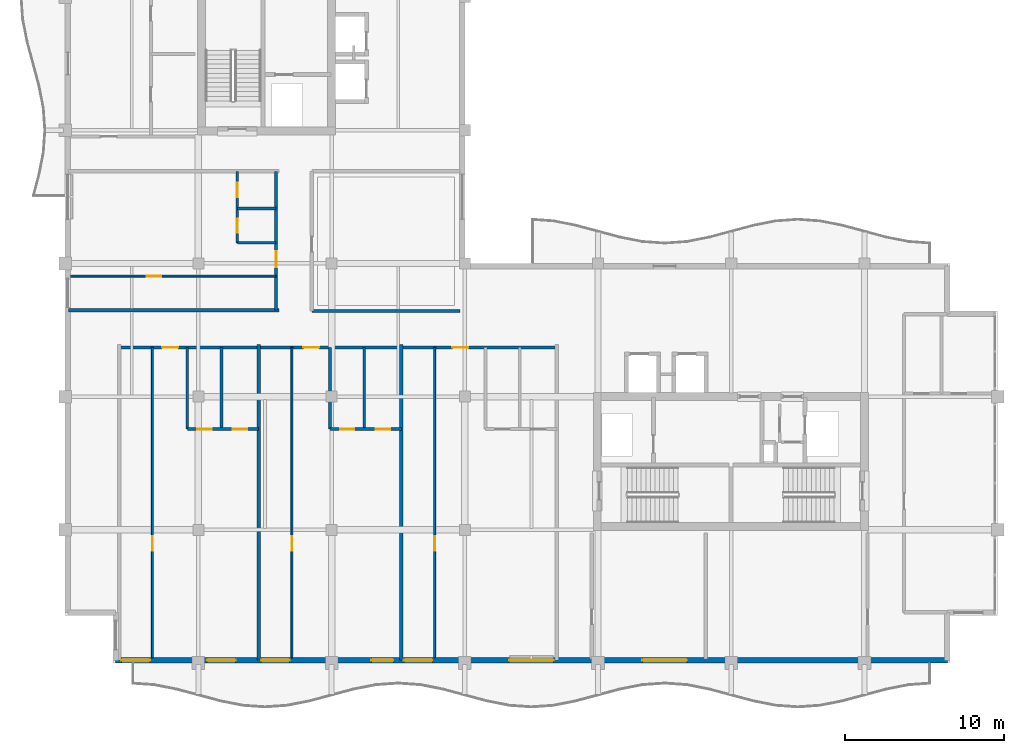
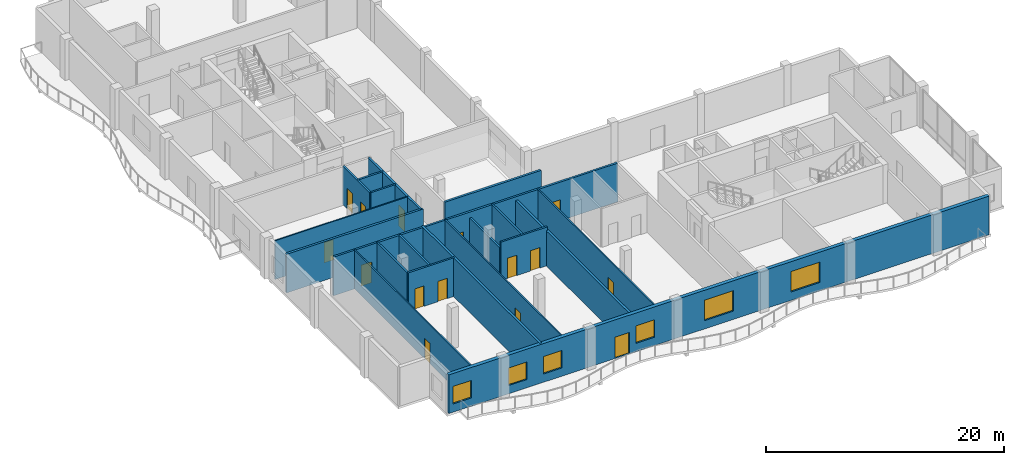
# One storey, part 7 of 16: 20 walls, 15 doors, 6 windows, 21 openings.
"""IFC4 building model written with IfcOpenShell, lengths in metres."""

import ifcopenshell
import ifcopenshell.guid

model = None  # the IFC model being written
_history = None  # IfcOwnerHistory: only IFC2X3 demands one
_inside = {}  # id of a spatial element -> (the spatial element, [elements in it])
_under = {}  # id of a project, library or spatial element -> (it, [spatial elements below it])
_declared = {}  # id of a project -> (the project, [libraries it declares])
_typed = {}  # id of a type object -> (the type object, [elements of that type])
_made_of = {}  # id of a material, layer set ... -> (it, [elements and type objects made of it])


def new_model(schema):
    """Start an empty IFC model of exactly this schema.

    Asked for "IFC4X3", IfcOpenShell would pick the latest addendum, in which some entities
    have other attributes; the version numbers below select the first issue.
    IFC2X3 requires an IfcOwnerHistory on every rooted entity: one is made here for all.
    """
    global model, _history
    if schema == "IFC4X3":
        model = ifcopenshell.file(schema_version=(4, 3, 0, 0))
    else:
        model = ifcopenshell.file(schema=schema)
    _inside.clear()
    _under.clear()
    _declared.clear()
    _typed.clear()
    _made_of.clear()
    _history = None
    if model.schema == "IFC2X3":
        org = make("IfcOrganization", Name="unknown")
        user = make(
            "IfcPersonAndOrganization",
            ThePerson=make("IfcPerson", FamilyName="unknown"),
            TheOrganization=org,
        )
        app = make(
            "IfcApplication",
            ApplicationDeveloper=org,
            Version="unknown",
            ApplicationFullName="unknown",
            ApplicationIdentifier="unknown",
        )
        _history = make(
            "IfcOwnerHistory",
            OwningUser=user,
            OwningApplication=app,
            ChangeAction="ADDED",
            CreationDate=0,
        )
    return model


def make(cls, **values):
    """One entity of the class cls with the attributes given. An attribute that is None is left unset."""
    return model.create_entity(
        cls, **{name: value for name, value in values.items() if value is not None}
    )


def rooted(cls, **values):
    """An entity with a GlobalId (a new one), such as an element, a storey or a relation."""
    return make(cls, GlobalId=ifcopenshell.guid.new(), OwnerHistory=_history, **values)


def si_unit(unit_type, name, prefix=None):
    """IfcSIUnit, for example si_unit("LENGTHUNIT", "METRE", prefix="MILLI")."""
    return make("IfcSIUnit", UnitType=unit_type, Prefix=prefix, Name=name)


def assignment(units):
    """IfcUnitAssignment: the units of a project."""
    return None if units is None else make("IfcUnitAssignment", Units=units)


def point(xyz):
    """IfcCartesianPoint."""
    return None if xyz is None else make("IfcCartesianPoint", Coordinates=xyz)


def direction(xyz):
    """IfcDirection."""
    return None if xyz is None else make("IfcDirection", DirectionRatios=xyz)


def frame(location, z_axis=None, x_axis=None):
    """IfcAxis2Placement3D, a coordinate frame: its origin and axes. An axis left out is left unset."""
    return make(
        "IfcAxis2Placement3D",
        Location=point(location),
        Axis=direction(z_axis),
        RefDirection=direction(x_axis),
    )


def frame_2d(location, x_axis=None):
    """IfcAxis2Placement2D, a coordinate frame in the plane: its origin and x axis."""
    return make(
        "IfcAxis2Placement2D", Location=point(location), RefDirection=direction(x_axis)
    )


def origin():
    """The frame at (0, 0, 0) with its axes left unset."""
    return frame((0.0, 0.0, 0.0))


def place(relative_to, where):
    """IfcLocalPlacement: puts the frame where relative to a parent placement (None: the world)."""
    return make(
        "IfcLocalPlacement", PlacementRelTo=relative_to, RelativePlacement=where
    )


def context(
    kind, dimensions, precision=None, world=None, true_north=None, identifier=None
):
    """IfcGeometricRepresentationContext, for example the 3D "Model" context."""
    return make(
        "IfcGeometricRepresentationContext",
        ContextIdentifier=identifier,
        ContextType=kind,
        CoordinateSpaceDimension=dimensions,
        Precision=precision,
        WorldCoordinateSystem=world,
        TrueNorth=true_north,
    )


def subcontext(parent, identifier, kind, view, scale=None):
    """IfcGeometricRepresentationSubContext, for example "Body" below "Model"."""
    return make(
        "IfcGeometricRepresentationSubContext",
        ContextIdentifier=identifier,
        ContextType=kind,
        ParentContext=parent,
        TargetScale=scale,
        TargetView=view,
    )


def project(units=None, contexts=None):
    """IfcProject with its units and contexts."""
    return rooted(
        "IfcProject",
        Name="project",
        RepresentationContexts=contexts,
        UnitsInContext=assignment(units),
    )


def spatial(cls, under=None, at=None, **own):
    """A site, building, storey or space (cls), placed at a placement, below another one or the project."""
    s = rooted(cls, ObjectPlacement=at, **own)
    if under is not None:
        _under.setdefault(under.id(), (under, []))[1].append(s)
    return s


def profile(cls, at=None, kind="AREA", **sizes):
    """A parametric profile (cls). Its sizes go by their IFC names, for example OverallWidth=200.0."""
    return make(cls, ProfileType=kind, Position=at, **sizes)


def rectangle(**sizes):
    """IfcRectangleProfileDef."""
    return profile("IfcRectangleProfileDef", **sizes)


def extrude(swept, where, along, depth):
    """IfcExtrudedAreaSolid: the profile swept, set in the frame where, extruded along a direction by depth."""
    return make(
        "IfcExtrudedAreaSolid",
        SweptArea=swept,
        Position=where,
        ExtrudedDirection=direction(along),
        Depth=depth,
    )


def shape(context_of_items, identifier, shape_type, items):
    """IfcShapeRepresentation: the items that make up one representation, for example the "Body"."""
    return make(
        "IfcShapeRepresentation",
        ContextOfItems=context_of_items,
        RepresentationIdentifier=identifier,
        RepresentationType=shape_type,
        Items=items,
    )


def material(Name=None, Category=None):
    """IfcMaterial."""
    return make("IfcMaterial", Name=Name, Category=Category)


def layer(
    of_material, thickness, ventilated=None, Name=None, Category=None, Priority=None
):
    """IfcMaterialLayer: one layer of a wall or slab, of a material (None: an air gap)."""
    return make(
        "IfcMaterialLayer",
        Material=of_material,
        LayerThickness=thickness,
        IsVentilated=ventilated,
        Name=Name,
        Category=Category,
        Priority=Priority,
    )


def layer_set(layers, Name=None):
    """IfcMaterialLayerSet."""
    return make("IfcMaterialLayerSet", MaterialLayers=layers, LayerSetName=Name)


def made_of(thing, what):
    """Note that an element or type object is made of a material, layer set ...; save() writes the relation."""
    if what is not None:
        _made_of.setdefault(what.id(), (what, []))[1].append(thing)
    return thing


def type_object(cls, material=None, **own):
    """A type object (cls), such as IfcWallType, which elements share."""
    return made_of(rooted(cls, **own), material)


def element(
    cls,
    number,
    at=None,
    inside=None,
    cuts=None,
    type_object=None,
    material=None,
    context=None,
    identifier="Body",
    shape_type=None,
    held_by="IfcProductDefinitionShape",
    body=None,
    shapes=None,
    **own,
):
    """One element of the class cls, such as IfcWall. Its Tag is "e" and its number.

    at: its placement. inside: the storey or other place that contains it. cuts: it is an
    opening in that element (IfcRelVoidsElement). A single representation is given by context,
    identifier, shape_type and body (its items); several are given by shapes. held_by: the class
    of the entity that holds the representations. save() writes the other relations.
    """
    e = rooted(cls, Tag="e%d" % number, ObjectPlacement=at, **own)
    if body is not None:
        shapes = [shape(context, identifier, shape_type, body)]
    if shapes is not None:
        e.Representation = make(held_by, Representations=shapes)
    if inside is not None:
        _inside.setdefault(inside.id(), (inside, []))[1].append(e)
    if cuts is not None:
        rooted(
            "IfcRelVoidsElement", RelatingBuildingElement=cuts, RelatedOpeningElement=e
        )
    if type_object is not None:
        _typed.setdefault(type_object.id(), (type_object, []))[1].append(e)
    return made_of(e, material)


def fill(opening, filler):
    """IfcRelFillsElement: the door or window that sits in an opening."""
    return rooted(
        "IfcRelFillsElement",
        RelatingOpeningElement=opening,
        RelatedBuildingElement=filler,
    )


def aggregate(whole, parts):
    """IfcRelAggregates: a whole, such as a stair, and the parts it consists of."""
    return rooted("IfcRelAggregates", RelatingObject=whole, RelatedObjects=parts)


def save(model, path):
    """Write the relations noted so far, then the file.

    IfcRelAggregates (storeys below a building ...), IfcRelContainedInSpatialStructure (elements
    in a storey), IfcRelDefinesByType, IfcRelAssociatesMaterial and IfcRelDeclares: one each for
    every whole, place, type object, material and project.
    """
    for whole, parts in _under.values():
        aggregate(whole, parts)
    for where, things in _inside.values():
        rooted(
            "IfcRelContainedInSpatialStructure",
            RelatedElements=things,
            RelatingStructure=where,
        )
    for kind, things in _typed.values():
        rooted("IfcRelDefinesByType", RelatedObjects=things, RelatingType=kind)
    for what, things in _made_of.values():
        rooted("IfcRelAssociatesMaterial", RelatedObjects=things, RelatingMaterial=what)
    for by, libraries in _declared.values():
        rooted("IfcRelDeclares", RelatingContext=by, RelatedDefinitions=libraries)
    model.write(path)


model = new_model("IFC4")

# Units and contexts
model_context = context("Model", 3, precision=1e-05, world=origin(), true_north=direction((0.0, 1.0)))
body_context = subcontext(model_context, "Body", "Model", "MODEL_VIEW")
ifc_project = project(units=[si_unit("LENGTHUNIT", "METRE"), si_unit("AREAUNIT", "SQUARE_METRE"), si_unit("VOLUMEUNIT", "CUBIC_METRE"), si_unit("PLANEANGLEUNIT", "RADIAN"), si_unit("MASSUNIT", "GRAM", prefix="KILO")], contexts=[model_context])

# Site, building, storey
site_placement = place(None, origin())
site = spatial("IfcSite", under=ifc_project, at=site_placement, CompositionType="ELEMENT")
building_placement = place(site_placement, origin())
building = spatial("IfcBuilding", under=site, at=building_placement, Name="Koriwani Terraces Tower", CompositionType="ELEMENT")
storey_placement = place(building_placement, frame((0.0, 0.0, 355.39990234375)))
storey = spatial("IfcBuildingStorey", under=building, at=storey_placement, Name="L88", CompositionType="ELEMENT", Elevation=355.39990234375)

# Wall, openings, doors
ifc_material_1 = material(Name="Autoclaved Cellular Concrete Blockwork", Category="masonry")
ifc_layer_1 = layer(ifc_material_1, 0.199951171875, Name="Autoclaved Cellular Concrete Blockwork")
ifc_layer_set_1 = layer_set([ifc_layer_1], Name="Autoclaved Cellular Concrete Blockwork")
wall_type_1 = type_object("IfcWallType", Name="WALL_CORRIDOR_200", PredefinedType="PARTITIONING", material=ifc_layer_set_1)
wall_1_placement = place(storey_placement, frame((11.800048828125, 28.300048828125, 0.0), z_axis=(0.0, 0.0, 1.0), x_axis=(1.0, 0.0, 0.0)))
wall_1 = element("IfcWall", 1, at=wall_1_placement, inside=storey, type_object=wall_type_1, Name="L88 Interior Wall WRCOR-L88-SW-0", PredefinedType="PARTITIONING", context=body_context, shape_type="SweptSolid", body=[
    extrude(rectangle(XDim=27.599853515625, YDim=0.199951171875, at=frame_2d((13.7998046875, 0.0))), origin(), (0.0, 0.0, 1.0), 3.97021484375),
])
opening_1_placement = place(wall_1_placement, frame((2.719970703125, 0.0, 0.0)))
opening_1 = element("IfcOpeningElement", 2, at=opening_1_placement, cuts=wall_1, Name="Opening D-05", PredefinedType="OPENING", context=body_context, shape_type="SweptSolid", body=[
    extrude(rectangle(XDim=1.0, YDim=2.14990234375, at=frame_2d((0.5, 1.074951171875))), frame((0.0, 0.10986328125, 0.0), z_axis=(0.0, -1.0, 0.0), x_axis=(1.0, 0.0, 0.0)), (0.0, 0.0, 1.0), 0.219970703125),
])
opening_2_placement = place(wall_1_placement, frame((11.6201171875, 0.0, 0.0)))
opening_2 = element("IfcOpeningElement", 3, at=opening_2_placement, cuts=wall_1, Name="Opening D-05", PredefinedType="OPENING", context=body_context, shape_type="SweptSolid", body=[
    extrude(rectangle(XDim=1.0, YDim=2.14990234375, at=frame_2d((0.5, 1.074951171875))), frame((0.0, 0.10986328125, 0.0), z_axis=(0.0, -1.0, 0.0), x_axis=(1.0, 0.0, 0.0)), (0.0, 0.0, 1.0), 0.219970703125),
])
opening_3_placement = place(wall_1_placement, frame((21.02001953125, 0.0, 0.0)))
opening_3 = element("IfcOpeningElement", 4, at=opening_3_placement, cuts=wall_1, Name="Opening D-05", PredefinedType="OPENING", context=body_context, shape_type="SweptSolid", body=[
    extrude(rectangle(XDim=1.0, YDim=2.14990234375, at=frame_2d((0.5, 1.074951171875))), frame((0.0, 0.10986328125, 0.0), z_axis=(0.0, -1.0, 0.0), x_axis=(1.0, 0.0, 0.0)), (0.0, 0.0, 1.0), 0.219970703125),
])
ifc_material_2 = material(Name="Architectural Oak Fire Door", Category="wood")
door_type_1 = type_object("IfcDoorType", Name="DOOR_SUITE_ENTRY_1000X2150", OperationType="NOTDEFINED", PredefinedType="DOOR", material=ifc_material_2)
door_1_placement = place(opening_1_placement, origin())
door_1 = element("IfcDoor", 5, at=door_1_placement, inside=storey, type_object=door_type_1, Name="Penthouse 88SW1 Entrance Door", OperationType="SINGLE_SWING_LEFT", OverallHeight=2.14990234375, OverallWidth=1.0, PredefinedType="DOOR", context=body_context, shape_type="SweptSolid", body=[
    extrude(rectangle(XDim=1.0, YDim=2.14990234375, at=frame_2d((0.5, 1.074951171875))), frame((0.0, 0.02490234375, 0.0), z_axis=(0.0, -1.0, 0.0), x_axis=(1.0, 0.0, 0.0)), (0.0, 0.0, 1.0), 0.050048828125),
])
fill(opening_1, door_1)
door_2_placement = place(opening_2_placement, origin())
door_2 = element("IfcDoor", 6, at=door_2_placement, inside=storey, type_object=door_type_1, Name="Penthouse 88SW2 Entrance Door", OperationType="SINGLE_SWING_LEFT", OverallHeight=2.14990234375, OverallWidth=1.0, PredefinedType="DOOR", context=body_context, shape_type="SweptSolid", body=[
    extrude(rectangle(XDim=1.0, YDim=2.14990234375, at=frame_2d((0.5, 1.074951171875))), frame((0.0, 0.02490234375, 0.0), z_axis=(0.0, -1.0, 0.0), x_axis=(1.0, 0.0, 0.0)), (0.0, 0.0, 1.0), 0.050048828125),
])
fill(opening_2, door_2)
door_3_placement = place(opening_3_placement, origin())
door_3 = element("IfcDoor", 7, at=door_3_placement, inside=storey, type_object=door_type_1, Name="Penthouse 88SW3 Entrance Door", OperationType="SINGLE_SWING_LEFT", OverallHeight=2.14990234375, OverallWidth=1.0, PredefinedType="DOOR", context=body_context, shape_type="SweptSolid", body=[
    extrude(rectangle(XDim=1.0, YDim=2.14990234375, at=frame_2d((0.5, 1.074951171875))), frame((0.0, 0.02490234375, 0.0), z_axis=(0.0, -1.0, 0.0), x_axis=(1.0, 0.0, 0.0)), (0.0, 0.0, 1.0), 0.050048828125),
])
fill(opening_3, door_3)

# Wall, opening, door
wall_2_placement = place(storey_placement, frame((21.699951171875, 30.64990234375, 0.0), z_axis=(0.0, 0.0, 1.0), x_axis=(0.0, 1.0, 0.0)))
wall_2 = element("IfcWall", 8, at=wall_2_placement, inside=storey, type_object=wall_type_1, Name="L88 Interior Wall WRCOR-L88-NE-0", PredefinedType="PARTITIONING", context=body_context, shape_type="SweptSolid", body=[
    extrude(rectangle(XDim=8.75, YDim=0.199951171875, at=frame_2d((4.375, 0.0))), origin(), (0.0, 0.0, 1.0), 3.97021484375),
])
opening_4_placement = place(wall_2_placement, frame((2.719970703125, 0.0, 0.0)))
opening_4 = element("IfcOpeningElement", 9, at=opening_4_placement, cuts=wall_2, Name="Opening D-05", PredefinedType="OPENING", context=body_context, shape_type="SweptSolid", body=[
    extrude(rectangle(XDim=1.0, YDim=2.14990234375, at=frame_2d((0.5, 1.074951171875))), frame((0.0, 0.10986328125, 0.0), z_axis=(0.0, -1.0, 0.0), x_axis=(1.0, 0.0, 0.0)), (0.0, 0.0, 1.0), 0.219970703125),
])
door_4_placement = place(opening_4_placement, origin())
door_4 = element("IfcDoor", 10, at=door_4_placement, inside=storey, type_object=door_type_1, Name="Penthouse 88NE1 Entrance Door", OperationType="SINGLE_SWING_LEFT", OverallHeight=2.14990234375, OverallWidth=1.0, PredefinedType="DOOR", context=body_context, shape_type="SweptSolid", body=[
    extrude(rectangle(XDim=1.0, YDim=2.14990234375, at=frame_2d((0.5, 1.074951171875))), frame((0.0, 0.02490234375, 0.0), z_axis=(0.0, -1.0, 0.0), x_axis=(1.0, 0.0, 0.0)), (0.0, 0.0, 1.0), 0.050048828125),
])
fill(opening_4, door_4)

# Walls
ifc_layer_2 = layer(ifc_material_1, 0.219970703125, Name="Autoclaved Cellular Concrete Blockwork")
ifc_layer_set_2 = layer_set([ifc_layer_2], Name="Autoclaved Cellular Concrete Blockwork")
wall_type_2 = type_object("IfcWallType", Name="WALL_DEMISING_220", PredefinedType="PARTITIONING", material=ifc_layer_set_2)
wall_3_placement = place(storey_placement, frame((23.949951171875, 30.60009765625, 0.0), z_axis=(0.0, 0.0, 1.0), x_axis=(1.0, 0.0, 0.0)))
element("IfcWall", 11, at=wall_3_placement, inside=storey, type_object=wall_type_2, Name="L88 Interior Wall WIC4WS-L88", PredefinedType="PARTITIONING", context=body_context, shape_type="SweptSolid", body=[
    extrude(rectangle(XDim=9.35009765625, YDim=0.219970703125, at=frame_2d((4.675048828125, 0.0))), origin(), (0.0, 0.0, 1.0), 3.97021484375),
])
wall_4_placement = place(storey_placement, frame((20.60009765625, 8.60009765625, 0.0), z_axis=(0.0, 0.0, 1.0), x_axis=(0.0, 1.0, 0.0)))
element("IfcWall", 12, at=wall_4_placement, inside=storey, type_object=wall_type_2, Name="L88 Interior Wall WRDEM-L88-SW-1", PredefinedType="PARTITIONING", context=body_context, shape_type="SweptSolid", body=[
    extrude(rectangle(XDim=19.8798828125, YDim=0.219970703125, at=frame_2d((9.93994140625, 0.0))), origin(), (0.0, 0.0, 1.0), 3.97021484375),
])
wall_5_placement = place(storey_placement, frame((29.60009765625, 8.60009765625, 0.0), z_axis=(0.0, 0.0, 1.0), x_axis=(0.0, 1.0, 0.0)))
element("IfcWall", 13, at=wall_5_placement, inside=storey, type_object=wall_type_2, Name="L88 Interior Wall WRDEM-L88-SW-2", PredefinedType="PARTITIONING", context=body_context, shape_type="SweptSolid", body=[
    extrude(rectangle(XDim=19.8798828125, YDim=0.219970703125, at=frame_2d((9.93994140625, 0.0))), origin(), (0.0, 0.0, 1.0), 3.607177734375),
])
wall_6_placement = place(storey_placement, frame((8.60009765625, 30.64990234375, 0.0), z_axis=(0.0, 0.0, 1.0), x_axis=(1.0, 0.0, 0.0)))
element("IfcWall", 14, at=wall_6_placement, inside=storey, type_object=wall_type_2, Name="L88 Interior Wall WRDEM-L88-NE-0", PredefinedType="PARTITIONING", context=body_context, shape_type="SweptSolid", body=[
    extrude(rectangle(XDim=13.27978515625, YDim=0.219970703125, at=frame_2d((6.639892578125, 0.0))), origin(), (0.0, 0.0, 1.0), 3.97021484375),
])

# Wall, openings, door, windows
ifc_material_3 = material(Name="Concrete C50/60", Category="concrete")
ifc_layer_3 = layer(ifc_material_3, 0.35009765625, Name="Concrete C50/60")
ifc_layer_set_3 = layer_set([ifc_layer_3], Name="Concrete C50/60")
wall_type_3 = type_object("IfcWallType", Name="WALL_EXT_BRUTALIST_350", PredefinedType="STANDARD", material=ifc_layer_set_3)
wall_7_placement = place(storey_placement, frame((64.02490234375, 8.574951171875, 0.0), z_axis=(0.0, 0.0, 1.0), x_axis=(-1.0, 0.0, 0.0)))
wall_7 = element("IfcWall", 15, at=wall_7_placement, inside=storey, type_object=wall_type_3, Name="L88 Fair-Faced Brutalist Exterior Wall (S)", PredefinedType="STANDARD", context=body_context, shape_type="SweptSolid", body=[
    extrude(rectangle(XDim=52.449951171875, YDim=0.35009765625, at=frame_2d((26.22509765625, 0.0))), origin(), (0.0, 0.0, 1.0), 3.97021484375),
])
opening_5_placement = place(wall_7_placement, frame((34.925048828125, 0.0, 0.0)))
opening_5 = element("IfcOpeningElement", 16, at=opening_5_placement, cuts=wall_7, Name="Opening D-09", PredefinedType="OPENING", context=body_context, shape_type="SweptSolid", body=[
    extrude(rectangle(XDim=1.39990234375, YDim=2.199951171875, at=frame_2d((0.699951171875, 1.10009765625))), frame((0.0, 0.18505859375, 0.0), z_axis=(0.0, -1.0, 0.0), x_axis=(1.0, 0.0, 0.0)), (0.0, 0.0, 1.0), 0.3701171875),
])
opening_6_placement = place(wall_7_placement, frame((24.824951171875, 0.0, 0.85009765625)))
opening_6 = element("IfcOpeningElement", 17, at=opening_6_placement, cuts=wall_7, Name="Opening W-05", PredefinedType="OPENING", context=body_context, shape_type="SweptSolid", body=[
    extrude(rectangle(XDim=2.800048828125, YDim=2.10009765625, at=frame_2d((1.39990234375, 1.050048828125))), frame((0.0, 0.18505859375, 0.0), z_axis=(0.0, -1.0, 0.0), x_axis=(1.0, 0.0, 0.0)), (0.0, 0.0, 1.0), 0.3701171875),
])
opening_7_placement = place(wall_7_placement, frame((16.425048828125, 0.0, 0.85009765625)))
opening_7 = element("IfcOpeningElement", 18, at=opening_7_placement, cuts=wall_7, Name="Opening W-05", PredefinedType="OPENING", context=body_context, shape_type="SweptSolid", body=[
    extrude(rectangle(XDim=2.800048828125, YDim=2.10009765625, at=frame_2d((1.39990234375, 1.050048828125))), frame((0.0, 0.18505859375, 0.0), z_axis=(0.0, -1.0, 0.0), x_axis=(1.0, 0.0, 0.0)), (0.0, 0.0, 1.0), 0.3701171875),
])
opening_8_placement = place(wall_7_placement, frame((50.27490234375, 0.0, 0.85009765625)))
opening_8 = element("IfcOpeningElement", 19, at=opening_8_placement, cuts=wall_7, Name="Opening W-04", PredefinedType="OPENING", context=body_context, shape_type="SweptSolid", body=[
    extrude(rectangle(XDim=1.800048828125, YDim=1.800048828125, at=frame_2d((0.89990234375, 0.89990234375))), frame((0.0, 0.18505859375, 0.0), z_axis=(0.0, -1.0, 0.0), x_axis=(1.0, 0.0, 0.0)), (0.0, 0.0, 1.0), 0.3701171875),
])
opening_9_placement = place(wall_7_placement, frame((44.875, 0.0, 0.85009765625)))
opening_9 = element("IfcOpeningElement", 20, at=opening_9_placement, cuts=wall_7, Name="Opening W-04", PredefinedType="OPENING", context=body_context, shape_type="SweptSolid", body=[
    extrude(rectangle(XDim=1.800048828125, YDim=1.800048828125, at=frame_2d((0.89990234375, 0.89990234375))), frame((0.0, 0.18505859375, 0.0), z_axis=(0.0, -1.0, 0.0), x_axis=(1.0, 0.0, 0.0)), (0.0, 0.0, 1.0), 0.3701171875),
])
opening_10_placement = place(wall_7_placement, frame((41.47509765625, 0.0, 0.85009765625)))
opening_10 = element("IfcOpeningElement", 21, at=opening_10_placement, cuts=wall_7, Name="Opening W-04", PredefinedType="OPENING", context=body_context, shape_type="SweptSolid", body=[
    extrude(rectangle(XDim=1.800048828125, YDim=1.800048828125, at=frame_2d((0.89990234375, 0.89990234375))), frame((0.0, 0.18505859375, 0.0), z_axis=(0.0, -1.0, 0.0), x_axis=(1.0, 0.0, 0.0)), (0.0, 0.0, 1.0), 0.3701171875),
])
opening_11_placement = place(wall_7_placement, frame((32.47509765625, 0.0, 0.85009765625)))
opening_11 = element("IfcOpeningElement", 22, at=opening_11_placement, cuts=wall_7, Name="Opening W-04", PredefinedType="OPENING", context=body_context, shape_type="SweptSolid", body=[
    extrude(rectangle(XDim=1.800048828125, YDim=1.800048828125, at=frame_2d((0.89990234375, 0.89990234375))), frame((0.0, 0.18505859375, 0.0), z_axis=(0.0, -1.0, 0.0), x_axis=(1.0, 0.0, 0.0)), (0.0, 0.0, 1.0), 0.3701171875),
])
ifc_material_4 = material(Name="Anodised Bronze Aluminium", Category="aluminium")
door_type_2 = type_object("IfcDoorType", Name="DOOR_BALCONY_GLAZED_1400X2200", OperationType="NOTDEFINED", PredefinedType="DOOR", material=ifc_material_4)
door_5_placement = place(opening_5_placement, origin())
door_5 = element("IfcDoor", 23, at=door_5_placement, inside=storey, type_object=door_type_2, Name="L88 South Balcony Glazed Door", OperationType="SINGLE_SWING_LEFT", OverallHeight=2.199951171875, OverallWidth=1.39990234375, PredefinedType="DOOR", context=body_context, shape_type="SweptSolid", body=[
    extrude(rectangle(XDim=1.39990234375, YDim=2.199951171875, at=frame_2d((0.699951171875, 1.10009765625))), frame((0.0, 0.02490234375, 0.0), z_axis=(0.0, -1.0, 0.0), x_axis=(1.0, 0.0, 0.0)), (0.0, 0.0, 1.0), 0.050048828125),
])
fill(opening_5, door_5)
ifc_material_5 = material(Name="Tempered Laminated Low-E Glass", Category="glass")
window_type_1 = type_object("IfcWindowType", Name="WIN_PENTHOUSE_2800X2100", PartitioningType="TRIPLE_PANEL_VERTICAL", PredefinedType="WINDOW", material=ifc_material_5)
window_1_placement = place(opening_6_placement, origin())
window_1 = element("IfcWindow", 24, at=window_1_placement, inside=storey, type_object=window_type_1, Name="L88 Exterior Window (S-9)", OverallHeight=2.10009765625, OverallWidth=2.800048828125, PartitioningType="SINGLE_PANEL", PredefinedType="WINDOW", context=body_context, shape_type="SweptSolid", body=[
    extrude(rectangle(XDim=2.800048828125, YDim=2.10009765625, at=frame_2d((1.39990234375, 1.050048828125))), frame((0.0, 0.030029296875, 0.0), z_axis=(0.0, -1.0, 0.0), x_axis=(1.0, 0.0, 0.0)), (0.0, 0.0, 1.0), 0.06005859375),
])
fill(opening_6, window_1)
window_2_placement = place(opening_7_placement, origin())
window_2 = element("IfcWindow", 25, at=window_2_placement, inside=storey, type_object=window_type_1, Name="L88 Exterior Window (S-12)", OverallHeight=2.10009765625, OverallWidth=2.800048828125, PartitioningType="SINGLE_PANEL", PredefinedType="WINDOW", context=body_context, shape_type="SweptSolid", body=[
    extrude(rectangle(XDim=2.800048828125, YDim=2.10009765625, at=frame_2d((1.39990234375, 1.050048828125))), frame((0.0, 0.030029296875, 0.0), z_axis=(0.0, -1.0, 0.0), x_axis=(1.0, 0.0, 0.0)), (0.0, 0.0, 1.0), 0.06005859375),
])
fill(opening_7, window_2)
window_type_2 = type_object("IfcWindowType", Name="WIN_RES_BED_1800X1800", PartitioningType="DOUBLE_PANEL_VERTICAL", PredefinedType="WINDOW", material=ifc_material_5)
window_3_placement = place(opening_8_placement, origin())
window_3 = element("IfcWindow", 26, at=window_3_placement, inside=storey, type_object=window_type_2, Name="L88 Exterior Window (S-R34)", OverallHeight=1.800048828125, OverallWidth=1.800048828125, PartitioningType="SINGLE_PANEL", PredefinedType="WINDOW", context=body_context, shape_type="SweptSolid", body=[
    extrude(rectangle(XDim=1.800048828125, YDim=1.800048828125, at=frame_2d((0.89990234375, 0.89990234375))), frame((0.0, 0.030029296875, 0.0), z_axis=(0.0, -1.0, 0.0), x_axis=(1.0, 0.0, 0.0)), (0.0, 0.0, 1.0), 0.06005859375),
])
fill(opening_8, window_3)
window_4_placement = place(opening_9_placement, origin())
window_4 = element("IfcWindow", 27, at=window_4_placement, inside=storey, type_object=window_type_2, Name="L88 Exterior Window (S-R35)", OverallHeight=1.800048828125, OverallWidth=1.800048828125, PartitioningType="SINGLE_PANEL", PredefinedType="WINDOW", context=body_context, shape_type="SweptSolid", body=[
    extrude(rectangle(XDim=1.800048828125, YDim=1.800048828125, at=frame_2d((0.89990234375, 0.89990234375))), frame((0.0, 0.030029296875, 0.0), z_axis=(0.0, -1.0, 0.0), x_axis=(1.0, 0.0, 0.0)), (0.0, 0.0, 1.0), 0.06005859375),
])
fill(opening_9, window_4)
window_5_placement = place(opening_10_placement, origin())
window_5 = element("IfcWindow", 28, at=window_5_placement, inside=storey, type_object=window_type_2, Name="L88 Exterior Window (S-R38)", OverallHeight=1.800048828125, OverallWidth=1.800048828125, PartitioningType="SINGLE_PANEL", PredefinedType="WINDOW", context=body_context, shape_type="SweptSolid", body=[
    extrude(rectangle(XDim=1.800048828125, YDim=1.800048828125, at=frame_2d((0.89990234375, 0.89990234375))), frame((0.0, 0.030029296875, 0.0), z_axis=(0.0, -1.0, 0.0), x_axis=(1.0, 0.0, 0.0)), (0.0, 0.0, 1.0), 0.06005859375),
])
fill(opening_10, window_5)
window_6_placement = place(opening_11_placement, origin())
window_6 = element("IfcWindow", 29, at=window_6_placement, inside=storey, type_object=window_type_2, Name="L88 Exterior Window (S-R42)", OverallHeight=1.800048828125, OverallWidth=1.800048828125, PartitioningType="SINGLE_PANEL", PredefinedType="WINDOW", context=body_context, shape_type="SweptSolid", body=[
    extrude(rectangle(XDim=1.800048828125, YDim=1.800048828125, at=frame_2d((0.89990234375, 0.89990234375))), frame((0.0, 0.030029296875, 0.0), z_axis=(0.0, -1.0, 0.0), x_axis=(1.0, 0.0, 0.0)), (0.0, 0.0, 1.0), 0.06005859375),
])
fill(opening_11, window_6)

# Wall, opening, door
ifc_material_6 = material(Name="Fire-Rated Acoustic Gypsum Partition", Category="masonry")
ifc_layer_4 = layer(ifc_material_6, 0.125, Name="Fire-Rated Acoustic Gypsum Partition")
ifc_layer_set_4 = layer_set([ifc_layer_4], Name="Fire-Rated Acoustic Gypsum Partition")
wall_type_4 = type_object("IfcWallType", Name="WALL_INT_125", PredefinedType="PARTITIONING", material=ifc_layer_set_4)
wall_8_placement = place(storey_placement, frame((13.89990234375, 8.75, 0.0), z_axis=(0.0, 0.0, 1.0), x_axis=(0.0, 1.0, 0.0)))
wall_8 = element("IfcWall", 30, at=wall_8_placement, inside=storey, type_object=wall_type_4, Name="L88 Interior Wall WRBED1-L88-SW-0", PredefinedType="PARTITIONING", context=body_context, shape_type="SweptSolid", body=[
    extrude(rectangle(XDim=19.550048828125, YDim=0.125, at=frame_2d((9.77490234375, 0.0))), origin(), (0.0, 0.0, 1.0), 3.97021484375),
])
opening_12_placement = place(wall_8_placement, frame((6.739990234375, 0.0, 0.0)))
opening_12 = element("IfcOpeningElement", 31, at=opening_12_placement, cuts=wall_8, Name="Opening D-06", PredefinedType="OPENING", context=body_context, shape_type="SweptSolid", body=[
    extrude(rectangle(XDim=0.919921875, YDim=2.10009765625, at=frame_2d((0.4599609375, 1.050048828125))), frame((0.0, 0.072509765625, 0.0), z_axis=(0.0, -1.0, 0.0), x_axis=(1.0, 0.0, 0.0)), (0.0, 0.0, 1.0), 0.14501953125),
])
door_type_3 = type_object("IfcDoorType", Name="DOOR_ROOM_INT_920X2100", OperationType="NOTDEFINED", PredefinedType="DOOR", material=ifc_material_2)
door_6_placement = place(opening_12_placement, origin())
door_6 = element("IfcDoor", 32, at=door_6_placement, inside=storey, type_object=door_type_3, Name="Penthouse 88SW1 Master Bedroom Door", OperationType="SINGLE_SWING_RIGHT", OverallHeight=2.10009765625, OverallWidth=0.919921875, PredefinedType="DOOR", context=body_context, shape_type="SweptSolid", body=[
    extrude(rectangle(XDim=0.919921875, YDim=2.10009765625, at=frame_2d((0.4599609375, 1.050048828125))), frame((0.0, 0.02490234375, 0.0), z_axis=(0.0, -1.0, 0.0), x_axis=(1.0, 0.0, 0.0)), (0.0, 0.0, 1.0), 0.050048828125),
])
fill(opening_12, door_6)

wall_9_placement = place(storey_placement, frame((22.699951171875, 8.75, 0.0), z_axis=(0.0, 0.0, 1.0), x_axis=(0.0, 1.0, 0.0)))
wall_9 = element("IfcWall", 33, at=wall_9_placement, inside=storey, type_object=wall_type_4, Name="L88 Interior Wall WRBED1-L88-SW-1", PredefinedType="PARTITIONING", context=body_context, shape_type="SweptSolid", body=[
    extrude(rectangle(XDim=19.550048828125, YDim=0.125, at=frame_2d((9.77490234375, 0.0))), origin(), (0.0, 0.0, 1.0), 3.97021484375),
])
opening_13_placement = place(wall_9_placement, frame((6.739990234375, 0.0, 0.0)))
opening_13 = element("IfcOpeningElement", 34, at=opening_13_placement, cuts=wall_9, Name="Opening D-06", PredefinedType="OPENING", context=body_context, shape_type="SweptSolid", body=[
    extrude(rectangle(XDim=0.919921875, YDim=2.10009765625, at=frame_2d((0.4599609375, 1.050048828125))), frame((0.0, 0.072509765625, 0.0), z_axis=(0.0, -1.0, 0.0), x_axis=(1.0, 0.0, 0.0)), (0.0, 0.0, 1.0), 0.14501953125),
])
door_7_placement = place(opening_13_placement, origin())
door_7 = element("IfcDoor", 35, at=door_7_placement, inside=storey, type_object=door_type_3, Name="Penthouse 88SW2 Master Bedroom Door", OperationType="SINGLE_SWING_RIGHT", OverallHeight=2.10009765625, OverallWidth=0.919921875, PredefinedType="DOOR", context=body_context, shape_type="SweptSolid", body=[
    extrude(rectangle(XDim=0.919921875, YDim=2.10009765625, at=frame_2d((0.4599609375, 1.050048828125))), frame((0.0, 0.02490234375, 0.0), z_axis=(0.0, -1.0, 0.0), x_axis=(1.0, 0.0, 0.0)), (0.0, 0.0, 1.0), 0.050048828125),
])
fill(opening_13, door_7)

wall_10_placement = place(storey_placement, frame((31.699951171875, 8.75, 0.0), z_axis=(0.0, 0.0, 1.0), x_axis=(0.0, 1.0, 0.0)))
wall_10 = element("IfcWall", 36, at=wall_10_placement, inside=storey, type_object=wall_type_4, Name="L88 Interior Wall WRBED1-L88-SW-2", PredefinedType="PARTITIONING", context=body_context, shape_type="SweptSolid", body=[
    extrude(rectangle(XDim=19.550048828125, YDim=0.125, at=frame_2d((9.77490234375, 0.0))), origin(), (0.0, 0.0, 1.0), 3.97021484375),
])
opening_14_placement = place(wall_10_placement, frame((6.739990234375, 0.0, 0.0)))
opening_14 = element("IfcOpeningElement", 37, at=opening_14_placement, cuts=wall_10, Name="Opening D-06", PredefinedType="OPENING", context=body_context, shape_type="SweptSolid", body=[
    extrude(rectangle(XDim=0.919921875, YDim=2.10009765625, at=frame_2d((0.4599609375, 1.050048828125))), frame((0.0, 0.072509765625, 0.0), z_axis=(0.0, -1.0, 0.0), x_axis=(1.0, 0.0, 0.0)), (0.0, 0.0, 1.0), 0.14501953125),
])
door_8_placement = place(opening_14_placement, origin())
door_8 = element("IfcDoor", 38, at=door_8_placement, inside=storey, type_object=door_type_3, Name="Penthouse 88SW3 Master Bedroom Door", OperationType="SINGLE_SWING_RIGHT", OverallHeight=2.10009765625, OverallWidth=0.919921875, PredefinedType="DOOR", context=body_context, shape_type="SweptSolid", body=[
    extrude(rectangle(XDim=0.919921875, YDim=2.10009765625, at=frame_2d((0.4599609375, 1.050048828125))), frame((0.0, 0.02490234375, 0.0), z_axis=(0.0, -1.0, 0.0), x_axis=(1.0, 0.0, 0.0)), (0.0, 0.0, 1.0), 0.050048828125),
])
fill(opening_14, door_8)

wall_11_placement = place(storey_placement, frame((8.75, 32.800048828125, 0.0), z_axis=(0.0, 0.0, 1.0), x_axis=(1.0, 0.0, 0.0)))
wall_11 = element("IfcWall", 39, at=wall_11_placement, inside=storey, type_object=wall_type_4, Name="L88 Interior Wall WRBED1-L88-NE-0", PredefinedType="PARTITIONING", context=body_context, shape_type="SweptSolid", body=[
    extrude(rectangle(XDim=12.949951171875, YDim=0.125, at=frame_2d((6.47509765625, 0.0))), origin(), (0.0, 0.0, 1.0), 3.97021484375),
])
opening_15_placement = place(wall_11_placement, frame((4.7900390625, 0.0, 0.0)))
opening_15 = element("IfcOpeningElement", 40, at=opening_15_placement, cuts=wall_11, Name="Opening D-06", PredefinedType="OPENING", context=body_context, shape_type="SweptSolid", body=[
    extrude(rectangle(XDim=0.919921875, YDim=2.10009765625, at=frame_2d((0.4599609375, 1.050048828125))), frame((0.0, 0.072509765625, 0.0), z_axis=(0.0, -1.0, 0.0), x_axis=(1.0, 0.0, 0.0)), (0.0, 0.0, 1.0), 0.14501953125),
])
door_9_placement = place(opening_15_placement, origin())
door_9 = element("IfcDoor", 41, at=door_9_placement, inside=storey, type_object=door_type_3, Name="Penthouse 88NE1 Master Bedroom Door", OperationType="SINGLE_SWING_RIGHT", OverallHeight=2.10009765625, OverallWidth=0.919921875, PredefinedType="DOOR", context=body_context, shape_type="SweptSolid", body=[
    extrude(rectangle(XDim=0.919921875, YDim=2.10009765625, at=frame_2d((0.4599609375, 1.050048828125))), frame((0.0, 0.02490234375, 0.0), z_axis=(0.0, -1.0, 0.0), x_axis=(1.0, 0.0, 0.0)), (0.0, 0.0, 1.0), 0.050048828125),
])
fill(opening_15, door_9)

# Wall, openings, doors
ifc_layer_5 = layer(ifc_material_6, 0.179931640625, Name="Fire-Rated Acoustic Gypsum Partition")
ifc_layer_set_5 = layer_set([ifc_layer_5], Name="Fire-Rated Acoustic Gypsum Partition")
wall_type_5 = type_object("IfcWallType", Name="WALL_PLUMBING_180", PredefinedType="PLUMBINGWALL", material=ifc_layer_set_5)
wall_12_placement = place(storey_placement, frame((16.10009765625, 23.14990234375, 0.0), z_axis=(0.0, 0.0, 1.0), x_axis=(1.0, 0.0, 0.0)))
wall_12 = element("IfcWall", 42, at=wall_12_placement, inside=storey, type_object=wall_type_5, Name="L88 Interior Wall WRSVC-L88-SW-0", PredefinedType="PLUMBINGWALL", context=body_context, shape_type="SweptSolid", body=[
    extrude(rectangle(XDim=4.5, YDim=0.179931640625, at=frame_2d((2.25, 0.0))), origin(), (0.0, 0.0, 1.0), 3.97021484375),
])
opening_16_placement = place(wall_12_placement, frame((0.6298828125, 0.0, 0.0)))
opening_16 = element("IfcOpeningElement", 43, at=opening_16_placement, cuts=wall_12, Name="Opening D-07", PredefinedType="OPENING", context=body_context, shape_type="SweptSolid", body=[
    extrude(rectangle(XDim=0.89990234375, YDim=2.10009765625, at=frame_2d((0.449951171875, 1.050048828125))), frame((0.0, 0.10009765625, 0.0), z_axis=(0.0, -1.0, 0.0), x_axis=(1.0, 0.0, 0.0)), (0.0, 0.0, 1.0), 0.199951171875),
])
opening_17_placement = place(wall_12_placement, frame((2.8701171875, 0.0, 0.0)))
opening_17 = element("IfcOpeningElement", 44, at=opening_17_placement, cuts=wall_12, Name="Opening D-06", PredefinedType="OPENING", context=body_context, shape_type="SweptSolid", body=[
    extrude(rectangle(XDim=0.919921875, YDim=2.10009765625, at=frame_2d((0.4599609375, 1.050048828125))), frame((0.0, 0.10009765625, 0.0), z_axis=(0.0, -1.0, 0.0), x_axis=(1.0, 0.0, 0.0)), (0.0, 0.0, 1.0), 0.199951171875),
])
door_type_4 = type_object("IfcDoorType", Name="DOOR_BATH_INT_900X2100", OperationType="NOTDEFINED", PredefinedType="DOOR", material=ifc_material_2)
door_10_placement = place(opening_16_placement, origin())
door_10 = element("IfcDoor", 45, at=door_10_placement, inside=storey, type_object=door_type_4, Name="Penthouse 88SW1 Bathroom Door", OperationType="SINGLE_SWING_RIGHT", OverallHeight=2.10009765625, OverallWidth=0.89990234375, PredefinedType="DOOR", context=body_context, shape_type="SweptSolid", body=[
    extrude(rectangle(XDim=0.89990234375, YDim=2.10009765625, at=frame_2d((0.449951171875, 1.050048828125))), frame((0.0, 0.02490234375, 0.0), z_axis=(0.0, -1.0, 0.0), x_axis=(1.0, 0.0, 0.0)), (0.0, 0.0, 1.0), 0.050048828125),
])
fill(opening_16, door_10)
door_11_placement = place(opening_17_placement, origin())
door_11 = element("IfcDoor", 46, at=door_11_placement, inside=storey, type_object=door_type_3, Name="Penthouse 88SW1 Kitchen Door", OperationType="SINGLE_SWING_LEFT", OverallHeight=2.10009765625, OverallWidth=0.919921875, PredefinedType="DOOR", context=body_context, shape_type="SweptSolid", body=[
    extrude(rectangle(XDim=0.919921875, YDim=2.10009765625, at=frame_2d((0.4599609375, 1.050048828125))), frame((0.0, 0.02490234375, 0.0), z_axis=(0.0, -1.0, 0.0), x_axis=(1.0, 0.0, 0.0)), (0.0, 0.0, 1.0), 0.050048828125),
])
fill(opening_17, door_11)

# Walls
for number, where, z_axis, x_axis, name in (
    (47, (16.10009765625, 23.14990234375, 0.0), (0.0, 0.0, 1.0), (0.0, 1.0, 0.0), "L88 Interior Wall WRSVCS-L88-SW-0"),
    (48, (18.260009765625, 23.14990234375, 0.0), (0.0, 0.0, 1.0), (0.0, 1.0, 0.0), "L88 Interior Wall WRSVCM-L88-SW-0"),
):
    element("IfcWall", number, at=place(storey_placement, frame(where, z_axis=z_axis, x_axis=x_axis)), inside=storey, type_object=wall_type_5, Name=name, PredefinedType="PLUMBINGWALL", context=body_context, shape_type="SweptSolid", body=[
        extrude(rectangle(XDim=5.150146484375, YDim=0.179931640625, at=frame_2d((2.5751953125, 0.0))), origin(), (0.0, 0.0, 1.0), 3.97021484375),
    ])

# Wall, openings, doors
wall_13_placement = place(storey_placement, frame((25.10009765625, 23.14990234375, 0.0), z_axis=(0.0, 0.0, 1.0), x_axis=(1.0, 0.0, 0.0)))
wall_13 = element("IfcWall", 49, at=wall_13_placement, inside=storey, type_object=wall_type_5, Name="L88 Interior Wall WRSVC-L88-SW-1", PredefinedType="PLUMBINGWALL", context=body_context, shape_type="SweptSolid", body=[
    extrude(rectangle(XDim=4.5, YDim=0.179931640625, at=frame_2d((2.25, 0.0))), origin(), (0.0, 0.0, 1.0), 3.97021484375),
])
opening_18_placement = place(wall_13_placement, frame((0.6298828125, 0.0, 0.0)))
opening_18 = element("IfcOpeningElement", 50, at=opening_18_placement, cuts=wall_13, Name="Opening D-07", PredefinedType="OPENING", context=body_context, shape_type="SweptSolid", body=[
    extrude(rectangle(XDim=0.89990234375, YDim=2.10009765625, at=frame_2d((0.449951171875, 1.050048828125))), frame((0.0, 0.10009765625, 0.0), z_axis=(0.0, -1.0, 0.0), x_axis=(1.0, 0.0, 0.0)), (0.0, 0.0, 1.0), 0.199951171875),
])
opening_19_placement = place(wall_13_placement, frame((2.8701171875, 0.0, 0.0)))
opening_19 = element("IfcOpeningElement", 51, at=opening_19_placement, cuts=wall_13, Name="Opening D-06", PredefinedType="OPENING", context=body_context, shape_type="SweptSolid", body=[
    extrude(rectangle(XDim=0.919921875, YDim=2.10009765625, at=frame_2d((0.4599609375, 1.050048828125))), frame((0.0, 0.10009765625, 0.0), z_axis=(0.0, -1.0, 0.0), x_axis=(1.0, 0.0, 0.0)), (0.0, 0.0, 1.0), 0.199951171875),
])
door_12_placement = place(opening_18_placement, origin())
door_12 = element("IfcDoor", 52, at=door_12_placement, inside=storey, type_object=door_type_4, Name="Penthouse 88SW2 Bathroom Door", OperationType="SINGLE_SWING_RIGHT", OverallHeight=2.10009765625, OverallWidth=0.89990234375, PredefinedType="DOOR", context=body_context, shape_type="SweptSolid", body=[
    extrude(rectangle(XDim=0.89990234375, YDim=2.10009765625, at=frame_2d((0.449951171875, 1.050048828125))), frame((0.0, 0.02490234375, 0.0), z_axis=(0.0, -1.0, 0.0), x_axis=(1.0, 0.0, 0.0)), (0.0, 0.0, 1.0), 0.050048828125),
])
fill(opening_18, door_12)
door_13_placement = place(opening_19_placement, origin())
door_13 = element("IfcDoor", 53, at=door_13_placement, inside=storey, type_object=door_type_3, Name="Penthouse 88SW2 Kitchen Door", OperationType="SINGLE_SWING_LEFT", OverallHeight=2.10009765625, OverallWidth=0.919921875, PredefinedType="DOOR", context=body_context, shape_type="SweptSolid", body=[
    extrude(rectangle(XDim=0.919921875, YDim=2.10009765625, at=frame_2d((0.4599609375, 1.050048828125))), frame((0.0, 0.02490234375, 0.0), z_axis=(0.0, -1.0, 0.0), x_axis=(1.0, 0.0, 0.0)), (0.0, 0.0, 1.0), 0.050048828125),
])
fill(opening_19, door_13)

# Walls
wall_14_placement = place(storey_placement, frame((25.10009765625, 23.14990234375, 0.0), z_axis=(0.0, 0.0, 1.0), x_axis=(0.0, 1.0, 0.0)))
element("IfcWall", 54, at=wall_14_placement, inside=storey, type_object=wall_type_5, Name="L88 Interior Wall WRSVCS-L88-SW-1", PredefinedType="PLUMBINGWALL", context=body_context, shape_type="SweptSolid", body=[
    extrude(rectangle(XDim=5.150146484375, YDim=0.179931640625, at=frame_2d((2.5751953125, 0.0))), origin(), (0.0, 0.0, 1.0), 3.3701171875),
])
wall_15_placement = place(storey_placement, frame((27.260009765625, 23.14990234375, 0.0), z_axis=(0.0, 0.0, 1.0), x_axis=(0.0, 1.0, 0.0)))
element("IfcWall", 55, at=wall_15_placement, inside=storey, type_object=wall_type_5, Name="L88 Interior Wall WRSVCM-L88-SW-1", PredefinedType="PLUMBINGWALL", context=body_context, shape_type="SweptSolid", body=[
    extrude(rectangle(XDim=5.150146484375, YDim=0.179931640625, at=frame_2d((2.5751953125, 0.0))), origin(), (0.0, 0.0, 1.0), 3.97021484375),
])

# Wall, openings, doors
wall_16_placement = place(storey_placement, frame((19.25, 34.89990234375, 0.0), z_axis=(0.0, 0.0, 1.0), x_axis=(0.0, 1.0, 0.0)))
wall_16 = element("IfcWall", 56, at=wall_16_placement, inside=storey, type_object=wall_type_5, Name="L88 Interior Wall WRSVC-L88-NE-0", PredefinedType="PLUMBINGWALL", context=body_context, shape_type="SweptSolid", body=[
    extrude(rectangle(XDim=4.5, YDim=0.179931640625, at=frame_2d((2.25, 0.0))), origin(), (0.0, 0.0, 1.0), 3.97021484375),
])
opening_20_placement = place(wall_16_placement, frame((0.6298828125, 0.0, 0.0)))
opening_20 = element("IfcOpeningElement", 57, at=opening_20_placement, cuts=wall_16, Name="Opening D-07", PredefinedType="OPENING", context=body_context, shape_type="SweptSolid", body=[
    extrude(rectangle(XDim=0.89990234375, YDim=2.10009765625, at=frame_2d((0.449951171875, 1.050048828125))), frame((0.0, 0.10009765625, 0.0), z_axis=(0.0, -1.0, 0.0), x_axis=(1.0, 0.0, 0.0)), (0.0, 0.0, 1.0), 0.199951171875),
])
opening_21_placement = place(wall_16_placement, frame((2.8701171875, 0.0, 0.0)))
opening_21 = element("IfcOpeningElement", 58, at=opening_21_placement, cuts=wall_16, Name="Opening D-06", PredefinedType="OPENING", context=body_context, shape_type="SweptSolid", body=[
    extrude(rectangle(XDim=0.919921875, YDim=2.10009765625, at=frame_2d((0.4599609375, 1.050048828125))), frame((0.0, 0.10009765625, 0.0), z_axis=(0.0, -1.0, 0.0), x_axis=(1.0, 0.0, 0.0)), (0.0, 0.0, 1.0), 0.199951171875),
])
door_14_placement = place(opening_20_placement, origin())
door_14 = element("IfcDoor", 59, at=door_14_placement, inside=storey, type_object=door_type_4, Name="Penthouse 88NE1 Bathroom Door", OperationType="SINGLE_SWING_RIGHT", OverallHeight=2.10009765625, OverallWidth=0.89990234375, PredefinedType="DOOR", context=body_context, shape_type="SweptSolid", body=[
    extrude(rectangle(XDim=0.89990234375, YDim=2.10009765625, at=frame_2d((0.449951171875, 1.050048828125))), frame((0.0, 0.02490234375, 0.0), z_axis=(0.0, -1.0, 0.0), x_axis=(1.0, 0.0, 0.0)), (0.0, 0.0, 1.0), 0.050048828125),
])
fill(opening_20, door_14)
door_15_placement = place(opening_21_placement, origin())
door_15 = element("IfcDoor", 60, at=door_15_placement, inside=storey, type_object=door_type_3, Name="Penthouse 88NE1 Kitchen Door", OperationType="SINGLE_SWING_LEFT", OverallHeight=2.10009765625, OverallWidth=0.919921875, PredefinedType="DOOR", context=body_context, shape_type="SweptSolid", body=[
    extrude(rectangle(XDim=0.919921875, YDim=2.10009765625, at=frame_2d((0.4599609375, 1.050048828125))), frame((0.0, 0.02490234375, 0.0), z_axis=(0.0, -1.0, 0.0), x_axis=(1.0, 0.0, 0.0)), (0.0, 0.0, 1.0), 0.050048828125),
])
fill(opening_21, door_15)

# Walls
for number, where, z_axis, x_axis, name in (
    (61, (19.25, 34.89990234375, 0.0), (0.0, 0.0, 1.0), (1.0, 0.0, 0.0), "L88 Interior Wall WRSVCS-L88-NE-0"),
    (62, (19.25, 37.06005859375, 0.0), (0.0, 0.0, 1.0), (1.0, 0.0, 0.0), "L88 Interior Wall WRSVCM-L88-NE-0"),
):
    element("IfcWall", number, at=place(storey_placement, frame(where, z_axis=z_axis, x_axis=x_axis)), inside=storey, type_object=wall_type_5, Name=name, PredefinedType="PLUMBINGWALL", context=body_context, shape_type="SweptSolid", body=[
        extrude(rectangle(XDim=2.449951171875, YDim=0.179931640625, at=frame_2d((1.22509765625, 0.0))), origin(), (0.0, 0.0, 1.0), 3.97021484375),
    ])

save(model, "model.ifc")
